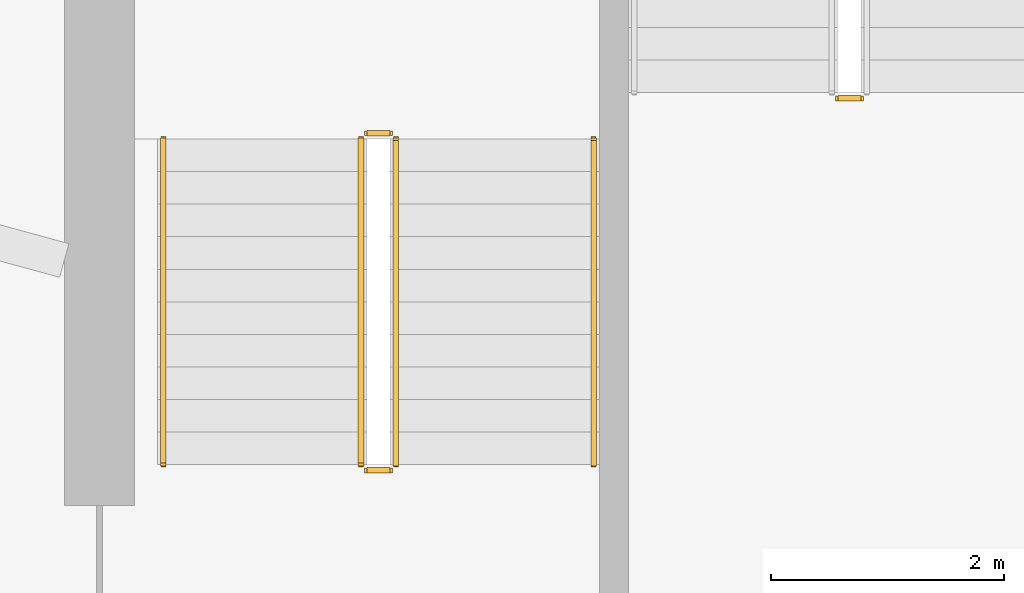
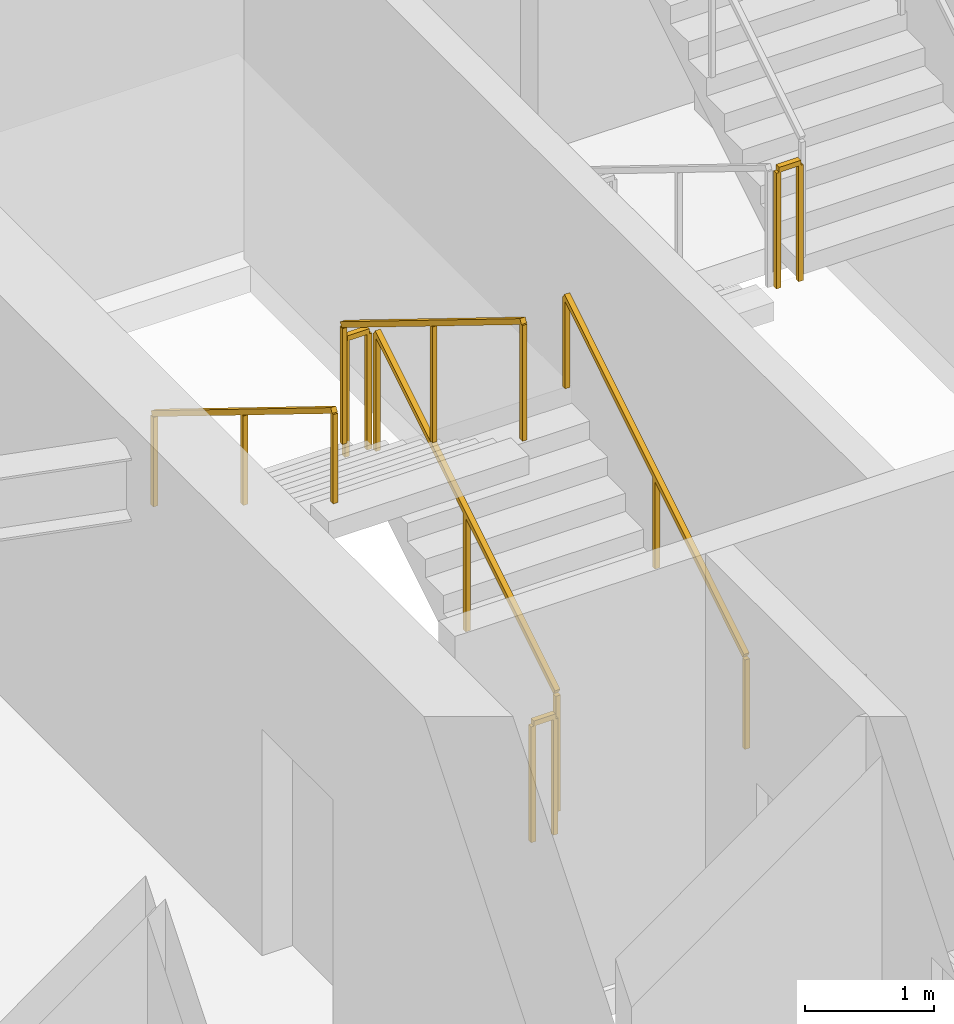
# One storey, part 24 of 26: 7 railings.
"""IFC4 building model written with IfcOpenShell, lengths in metres."""

from ifc_helpers import new_model, si_unit, direction, frame, origin, origin_2d, place, context, subcontext, project, spatial, rectangle, extrude, material, type_object, element, save


model = new_model("IFC4")

# Units and contexts
model_context = context("Model", 3, precision=1e-05, world=origin(), true_north=direction((0.0, 1.0)))
body_context = subcontext(model_context, "Body", "Model", "MODEL_VIEW")
ifc_project = project(units=[si_unit("LENGTHUNIT", "METRE"), si_unit("AREAUNIT", "SQUARE_METRE"), si_unit("VOLUMEUNIT", "CUBIC_METRE"), si_unit("PLANEANGLEUNIT", "RADIAN"), si_unit("MASSUNIT", "GRAM", prefix="KILO")], contexts=[model_context])

# Site, building, storey
site_placement = place(None, origin())
site = spatial("IfcSite", under=ifc_project, at=site_placement, CompositionType="ELEMENT")
building_placement = place(site_placement, origin())
building = spatial("IfcBuilding", under=site, at=building_placement, Name="Zuhravey Tower", CompositionType="ELEMENT")
storey_placement = place(building_placement, frame((0.0, 0.0, 280.60009765625)))
storey = spatial("IfcBuildingStorey", under=building, at=storey_placement, Name="L71", CompositionType="ELEMENT", Elevation=280.60009765625)

# Railings
ifc_material_1 = material(Name="Brushed stainless steel", Category="steel")
railing_type_1 = type_object("IfcRailingType", Name="Stair Wall Handrail 900", PredefinedType="HANDRAIL", material=ifc_material_1)
railing_1_placement = place(storey_placement, frame((29.75, 33.199951171875, 0.172607421875)))
element("IfcRailing", 1, at=railing_1_placement, inside=storey, type_object=railing_type_1, Name="L71 ST1 stair handrail 1", PredefinedType="HANDRAIL", context=body_context, shape_type="SweptSolid", body=[
    extrude(rectangle(XDim=0.048095703125, YDim=0.048095703125, at=origin_2d()), frame((0.0, 0.001708984375, 0.876953125), z_axis=(0.0, 0.851089632645, 0.525020415988), x_axis=(-1.0, 0.0, 0.0)), (0.0, 0.0, 1.0), 3.285888671875),
    extrude(rectangle(XDim=0.0419921875, YDim=0.0419921875, at=origin_2d()), origin(), (0.0, 0.0, 1.0), 0.849853515625),
    extrude(rectangle(XDim=0.0419921875, YDim=0.0419921875, at=origin_2d()), frame((0.0, 1.39990234375, 0.86376953125)), (0.0, 0.0, 1.0), 0.849853515625),
    extrude(rectangle(XDim=0.0419921875, YDim=0.0419921875, at=origin_2d()), frame((0.0, 2.800048828125, 1.727294921875)), (0.0, 0.0, 1.0), 0.849853515625),
])
railing_2_placement = place(storey_placement, frame((26.050048828125, 36.0, 2.072509765625)))
element("IfcRailing", 2, at=railing_2_placement, inside=storey, type_object=railing_type_1, Name="L71 ST1 stair handrail 2", PredefinedType="HANDRAIL", context=body_context, shape_type="SweptSolid", body=[
    extrude(rectangle(XDim=0.048095703125, YDim=0.048095703125, at=origin_2d()), frame((0.0, -0.001708984375, 0.876953125), z_axis=(0.0, -0.851089632645, 0.525020415988), x_axis=(1.0, 0.0, 0.0)), (0.0, 0.0, 1.0), 3.285888671875),
    extrude(rectangle(XDim=0.0419921875, YDim=0.0419921875, at=origin_2d()), origin(), (0.0, 0.0, 1.0), 0.849853515625),
    extrude(rectangle(XDim=0.0419921875, YDim=0.0419921875, at=origin_2d()), frame((0.0, -1.39990234375, 0.86376953125)), (0.0, 0.0, 1.0), 0.849853515625),
    extrude(rectangle(XDim=0.0419921875, YDim=0.0419921875, at=origin_2d()), frame((0.0, -2.800048828125, 1.727294921875)), (0.0, 0.0, 1.0), 0.849853515625),
])
ifc_material_2 = material(Name="Painted tubular steel", Category="steel")
railing_type_2 = type_object("IfcRailingType", Name="Stair Well Guardrail 1150", PredefinedType="GUARDRAIL", material=ifc_material_2)
railing_3_placement = place(storey_placement, frame((28.050048828125, 33.199951171875, 0.172607421875)))
element("IfcRailing", 3, at=railing_3_placement, inside=storey, type_object=railing_type_2, Name="L71 ST1 stair guard 1", PredefinedType="GUARDRAIL", context=body_context, shape_type="SweptSolid", body=[
    extrude(rectangle(XDim=0.048095703125, YDim=0.048095703125, at=origin_2d()), frame((0.0, 0.001708984375, 1.126953125), z_axis=(0.0, 0.851089632645, 0.525020415988), x_axis=(-1.0, 0.0, 0.0)), (0.0, 0.0, 1.0), 3.285888671875),
    extrude(rectangle(XDim=0.0419921875, YDim=0.0419921875, at=origin_2d()), origin(), (0.0, 0.0, 1.0), 1.099853515625),
    extrude(rectangle(XDim=0.0419921875, YDim=0.0419921875, at=origin_2d()), frame((0.0, 1.39990234375, 0.86376953125)), (0.0, 0.0, 1.0), 1.099853515625),
    extrude(rectangle(XDim=0.0419921875, YDim=0.0419921875, at=origin_2d()), frame((0.0, 2.800048828125, 1.727294921875)), (0.0, 0.0, 1.0), 1.099853515625),
])
railing_4_placement = place(storey_placement, frame((28.0, 36.050048828125, 1.89990234375)))
element("IfcRailing", 4, at=railing_4_placement, inside=storey, type_object=railing_type_2, Name="L71 ST1 stair guard 2", PredefinedType="GUARDRAIL", context=body_context, shape_type="SweptSolid", body=[
    extrude(rectangle(XDim=0.048095703125, YDim=0.048095703125, at=origin_2d()), frame((-0.001953125, 0.0, 1.1259765625), z_axis=(-1.0, 0.0, 0.0), x_axis=(0.0, -1.0, 0.0)), (0.0, 0.0, 1.0), 0.196044921875),
    extrude(rectangle(XDim=0.0419921875, YDim=0.0419921875, at=origin_2d()), origin(), (0.0, 0.0, 1.0), 1.099853515625),
    extrude(rectangle(XDim=0.0419921875, YDim=0.0419921875, at=origin_2d()), frame((-0.199951171875, 0.0, 0.0)), (0.0, 0.0, 1.0), 1.099853515625),
])
railing_5_placement = place(storey_placement, frame((27.75, 36.0, 2.072509765625)))
element("IfcRailing", 5, at=railing_5_placement, inside=storey, type_object=railing_type_2, Name="L71 ST1 stair guard 3", PredefinedType="GUARDRAIL", context=body_context, shape_type="SweptSolid", body=[
    extrude(rectangle(XDim=0.048095703125, YDim=0.048095703125, at=origin_2d()), frame((0.0, -0.001708984375, 1.126953125), z_axis=(0.0, -0.851089632645, 0.525020415988), x_axis=(1.0, 0.0, 0.0)), (0.0, 0.0, 1.0), 3.285888671875),
    extrude(rectangle(XDim=0.0419921875, YDim=0.0419921875, at=origin_2d()), origin(), (0.0, 0.0, 1.0), 1.099853515625),
    extrude(rectangle(XDim=0.0419921875, YDim=0.0419921875, at=origin_2d()), frame((0.0, -1.39990234375, 0.86376953125)), (0.0, 0.0, 1.0), 1.099853515625),
    extrude(rectangle(XDim=0.0419921875, YDim=0.0419921875, at=origin_2d()), frame((0.0, -2.800048828125, 1.727294921875)), (0.0, 0.0, 1.0), 1.099853515625),
])
railing_6_placement = place(storey_placement, frame((28.0, 33.14990234375, 0.0)))
element("IfcRailing", 6, at=railing_6_placement, inside=storey, type_object=railing_type_2, Name="L71 ST1 stair guard 4", PredefinedType="GUARDRAIL", context=body_context, shape_type="SweptSolid", body=[
    extrude(rectangle(XDim=0.048095703125, YDim=0.048095703125, at=origin_2d()), frame((-0.001953125, 0.0, 1.1259765625), z_axis=(-1.0, 0.0, 0.0), x_axis=(0.0, -1.0, 0.0)), (0.0, 0.0, 1.0), 0.196044921875),
    extrude(rectangle(XDim=0.0419921875, YDim=0.0419921875, at=origin_2d()), origin(), (0.0, 0.0, 1.0), 1.099853515625),
    extrude(rectangle(XDim=0.0419921875, YDim=0.0419921875, at=origin_2d()), frame((-0.199951171875, 0.0, 0.0)), (0.0, 0.0, 1.0), 1.099853515625),
])
railing_7_placement = place(storey_placement, frame((31.85009765625, 36.35009765625, 1.89990234375)))
element("IfcRailing", 7, at=railing_7_placement, inside=storey, type_object=railing_type_2, Name="L71 ST3 stair guard 2", PredefinedType="GUARDRAIL", context=body_context, shape_type="SweptSolid", body=[
    extrude(rectangle(XDim=0.048095703125, YDim=0.048095703125, at=origin_2d()), frame((0.001953125, 0.0, 1.1259765625), z_axis=(1.0, 0.0, 0.0), x_axis=(0.0, 1.0, 0.0)), (0.0, 0.0, 1.0), 0.196044921875),
    extrude(rectangle(XDim=0.0419921875, YDim=0.0419921875, at=origin_2d()), origin(), (0.0, 0.0, 1.0), 1.099853515625),
    extrude(rectangle(XDim=0.0419921875, YDim=0.0419921875, at=origin_2d()), frame((0.199951171875, 0.0, 0.0)), (0.0, 0.0, 1.0), 1.099853515625),
])

save(model, "model.ifc")
